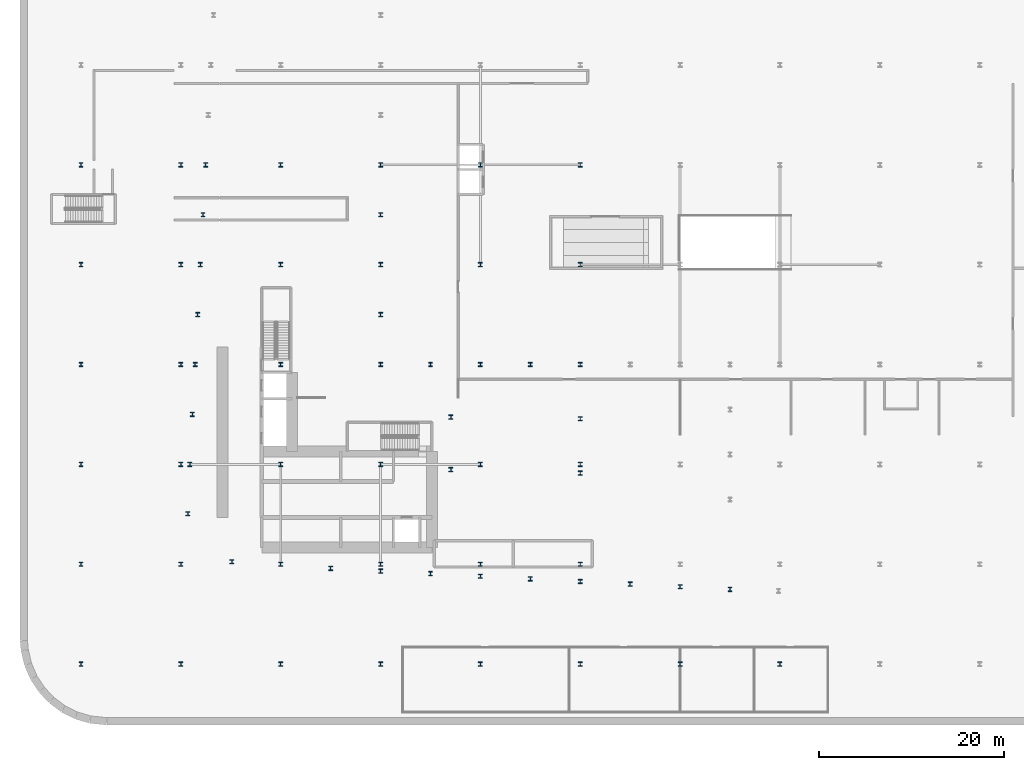
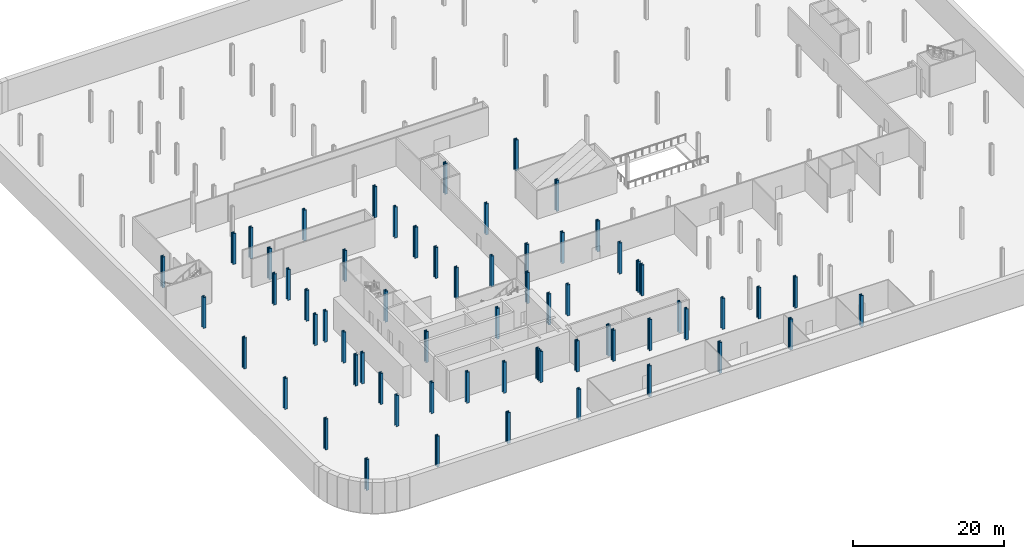
# One storey, part 1 of 19: 64 columns.
"""IFC4 building model written with IfcOpenShell, lengths in metres."""

from ifc_helpers import new_model, si_unit, direction, frame, origin, origin_2d, place, context, subcontext, project, spatial, i_section, extrude, material, material_profile, profile_set, type_object, element, save


model = new_model("IFC4")

# Units and contexts
model_context = context("Model", 3, precision=1e-05, world=origin(), true_north=direction((0.0, 1.0)))
body_context = subcontext(model_context, "Body", "Model", "MODEL_VIEW")
ifc_project = project(units=[si_unit("LENGTHUNIT", "METRE"), si_unit("AREAUNIT", "SQUARE_METRE"), si_unit("VOLUMEUNIT", "CUBIC_METRE"), si_unit("PLANEANGLEUNIT", "RADIAN"), si_unit("MASSUNIT", "GRAM", prefix="KILO")], contexts=[model_context])

# Site, building, storey
site_placement = place(None, origin())
site = spatial("IfcSite", under=ifc_project, at=site_placement, CompositionType="ELEMENT")
building_placement = place(site_placement, origin())
building = spatial("IfcBuilding", under=site, at=building_placement, Name="Kheshtan School and Residences Tower", CompositionType="ELEMENT")
storey_placement = place(building_placement, frame((0.0, 0.0, -5.0)))
storey = spatial("IfcBuildingStorey", under=building, at=storey_placement, Name="B1", CompositionType="ELEMENT", Elevation=-5.0)

# Columns
ifc_material = material(Name="Steel ASTM A992 Grade 50", Category="steel")
ifc_material_profile = material_profile(ifc_material, i_section(OverallWidth=0.424072265625, OverallDepth=0.47412109375, WebThickness=0.047607421875, FlangeThickness=0.0771484375, FilletRadius=0.01416015625, at=origin_2d()), Name="W360x634")
ifc_profile_set = profile_set([ifc_material_profile], Name="Steel ASTM A992 Grade 50")
column_type = type_object("IfcColumnType", Name="Column PC1 W360x634 ASTM A992 Grade 50", PredefinedType="COLUMN", material=ifc_profile_set)
for number, where, z_axis, x_axis, name in (
    (1, (15.199951171875, 13.199951171875, 0.0), (0.0, 0.0, 1.0), (1.0, 0.0, 0.0), "Column P-001"),
    (2, (26.0, 13.199951171875, 0.0), (0.0, 0.0, 1.0), (1.0, 0.0, 0.0), "Column P-002"),
    (3, (36.800048828125, 13.199951171875, 0.0), (0.0, 0.0, 1.0), (1.0, 0.0, 0.0), "Column P-003"),
    (4, (47.60009765625, 13.199951171875, 0.0), (0.0, 0.0, 1.0), (1.0, 0.0, 0.0), "Column P-004"),
    (5, (58.39990234375, 13.199951171875, 0.0), (0.0, 0.0, 1.0), (1.0, 0.0, 0.0), "Column P-005"),
    (6, (69.199951171875, 13.199951171875, 0.0), (0.0, 0.0, 1.0), (1.0, 0.0, 0.0), "Column P-006"),
    (7, (80.0, 13.199951171875, 0.0), (0.0, 0.0, 1.0), (1.0, 0.0, 0.0), "Column P-007"),
    (8, (90.800048828125, 13.199951171875, 0.0), (0.0, 0.0, 1.0), (1.0, 0.0, 0.0), "Column P-008"),
    (9, (15.199951171875, 24.0, 0.0), (0.0, 0.0, 1.0), (1.0, 0.0, 0.0), "Column P-013"),
    (10, (26.0, 24.0, 0.0), (0.0, 0.0, 1.0), (1.0, 0.0, 0.0), "Column P-014"),
    (11, (36.800048828125, 24.0, 0.0), (0.0, 0.0, 1.0), (1.0, 0.0, 0.0), "Column P-015"),
    (12, (47.60009765625, 24.0, 0.0), (0.0, 0.0, 1.0), (1.0, 0.0, 0.0), "Column P-016"),
    (13, (58.39990234375, 24.0, 0.0), (0.0, 0.0, 1.0), (1.0, 0.0, 0.0), "Column P-017"),
    (14, (69.199951171875, 24.0, 0.0), (0.0, 0.0, 1.0), (1.0, 0.0, 0.0), "Column P-018"),
    (15, (15.199951171875, 34.800048828125, 0.0), (0.0, 0.0, 1.0), (1.0, 0.0, 0.0), "Column P-025"),
    (16, (26.0, 34.800048828125, 0.0), (0.0, 0.0, 1.0), (1.0, 0.0, 0.0), "Column P-026"),
    (17, (36.800048828125, 34.800048828125, 0.0), (0.0, 0.0, 1.0), (1.0, 0.0, 0.0), "Column P-027"),
    (18, (47.60009765625, 34.800048828125, 0.0), (0.0, 0.0, 1.0), (1.0, 0.0, 0.0), "Column P-028"),
    (19, (58.39990234375, 34.800048828125, 0.0), (0.0, 0.0, 1.0), (1.0, 0.0, 0.0), "Column P-029"),
    (20, (69.199951171875, 34.800048828125, 0.0), (0.0, 0.0, 1.0), (1.0, 0.0, 0.0), "Column P-030"),
    (21, (15.199951171875, 45.60009765625, 0.0), (0.0, 0.0, 1.0), (1.0, 0.0, 0.0), "Column P-037"),
    (22, (26.0, 45.60009765625, 0.0), (0.0, 0.0, 1.0), (1.0, 0.0, 0.0), "Column P-038"),
    (23, (36.800048828125, 45.60009765625, 0.0), (0.0, 0.0, 1.0), (1.0, 0.0, 0.0), "Column P-039"),
    (24, (47.60009765625, 45.60009765625, 0.0), (0.0, 0.0, 1.0), (1.0, 0.0, 0.0), "Column P-040"),
    (25, (58.39990234375, 45.60009765625, 0.0), (0.0, 0.0, 1.0), (1.0, 0.0, 0.0), "Column P-041"),
    (26, (69.199951171875, 45.60009765625, 0.0), (0.0, 0.0, 1.0), (1.0, 0.0, 0.0), "Column P-042"),
    (27, (15.199951171875, 56.39990234375, 0.0), (0.0, 0.0, 1.0), (1.0, 0.0, 0.0), "Column P-049"),
    (28, (26.0, 56.39990234375, 0.0), (0.0, 0.0, 1.0), (1.0, 0.0, 0.0), "Column P-050"),
    (29, (36.800048828125, 56.39990234375, 0.0), (0.0, 0.0, 1.0), (1.0, 0.0, 0.0), "Column P-051"),
    (30, (47.60009765625, 56.39990234375, 0.0), (0.0, 0.0, 1.0), (1.0, 0.0, 0.0), "Column P-052"),
    (31, (58.39990234375, 56.39990234375, 0.0), (0.0, 0.0, 1.0), (1.0, 0.0, 0.0), "Column P-053"),
    (32, (69.199951171875, 56.39990234375, 0.0), (0.0, 0.0, 1.0), (1.0, 0.0, 0.0), "Column P-054"),
    (33, (15.199951171875, 67.199951171875, 0.0), (0.0, 0.0, 1.0), (1.0, 0.0, 0.0), "Column P-061"),
    (34, (26.0, 67.199951171875, 0.0), (0.0, 0.0, 1.0), (1.0, 0.0, 0.0), "Column P-062"),
    (35, (36.800048828125, 67.199951171875, 0.0), (0.0, 0.0, 1.0), (1.0, 0.0, 0.0), "Column P-063"),
    (36, (47.60009765625, 67.199951171875, 0.0), (0.0, 0.0, 1.0), (1.0, 0.0, 0.0), "Column P-064"),
    (37, (58.39990234375, 67.199951171875, 0.0), (0.0, 0.0, 1.0), (1.0, 0.0, 0.0), "Column P-065"),
    (38, (69.199951171875, 67.199951171875, 0.0), (0.0, 0.0, 1.0), (1.0, 0.0, 0.0), "Column P-066"),
    (39, (85.39990234375, 21.27001953125, 0.0), (0.0, 0.0, 1.0), (1.0, 0.0, 0.0), "Transfer column X02"),
    (40, (80.0, 21.56005859375, 0.0), (0.0, 0.0, 1.0), (1.0, 0.0, 0.0), "Transfer column X03"),
    (41, (74.60009765625, 21.840087890625, 0.0), (0.0, 0.0, 1.0), (1.0, 0.0, 0.0), "Transfer column X04"),
    (42, (69.199951171875, 22.1298828125, 0.0), (0.0, 0.0, 1.0), (1.0, 0.0, 0.0), "Transfer column X05"),
    (43, (63.800048828125, 22.409912109375, 0.0), (0.0, 0.0, 1.0), (1.0, 0.0, 0.0), "Transfer column X06"),
    (44, (58.39990234375, 22.699951171875, 0.0), (0.0, 0.0, 1.0), (1.0, 0.0, 0.0), "Transfer column X07"),
    (45, (53.0, 22.97998046875, 0.0), (0.0, 0.0, 1.0), (1.0, 0.0, 0.0), "Transfer column X08"),
    (46, (47.60009765625, 23.260009765625, 0.0), (0.0, 0.0, 1.0), (1.0, 0.0, 0.0), "Transfer column X09"),
    (47, (42.199951171875, 23.550048828125, 0.0), (0.0, 0.0, 1.0), (1.0, 0.0, 0.0), "Transfer column X10"),
    (48, (31.52001953125, 24.27001953125, 0.0), (0.0, 0.0, 1.0), (1.0, 0.0, 0.0), "Transfer column X11"),
    (49, (26.760009765625, 29.4599609375, 0.0), (0.0, 0.0, 1.0), (1.0, 0.0, 0.0), "Transfer column X12"),
    (50, (26.969970703125, 34.800048828125, 0.0), (0.0, 0.0, 1.0), (1.0, 0.0, 0.0), "Transfer column X13"),
    (51, (27.25, 40.199951171875, 0.0), (0.0, 0.0, 1.0), (1.0, 0.0, 0.0), "Transfer column X14"),
    (52, (27.5400390625, 45.60009765625, 0.0), (0.0, 0.0, 1.0), (1.0, 0.0, 0.0), "Transfer column X15"),
    (53, (53.0, 45.60009765625, 0.0), (0.0, 0.0, 1.0), (1.0, 0.0, 0.0), "Transfer column X16"),
    (54, (63.800048828125, 45.60009765625, 0.0), (0.0, 0.0, 1.0), (1.0, 0.0, 0.0), "Transfer column X17"),
    (55, (27.820068359375, 51.0, 0.0), (0.0, 0.0, 1.0), (1.0, 0.0, 0.0), "Transfer column X20"),
    (56, (47.60009765625, 51.0, 0.0), (0.0, 0.0, 1.0), (1.0, 0.0, 0.0), "Transfer column X21"),
    (57, (28.110107421875, 56.39990234375, 0.0), (0.0, 0.0, 1.0), (1.0, 0.0, 0.0), "Transfer column X22"),
    (58, (28.389892578125, 61.800048828125, 0.0), (0.0, 0.0, 1.0), (1.0, 0.0, 0.0), "Transfer column X23"),
    (59, (47.60009765625, 61.800048828125, 0.0), (0.0, 0.0, 1.0), (1.0, 0.0, 0.0), "Transfer column X24"),
    (60, (28.669921875, 67.199951171875, 0.0), (0.0, 0.0, 1.0), (1.0, 0.0, 0.0), "Transfer column X25"),
    (61, (69.199951171875, 33.860107421875, 0.0), (0.0, 0.0, 1.0), (1.0, 0.0, 0.0), "Transfer column X36"),
    (62, (55.199951171875, 34.22998046875, 0.0), (0.0, 0.0, 1.0), (1.0, 0.0, 0.0), "Transfer column X37"),
    (63, (69.199951171875, 39.72998046875, 0.0), (0.0, 0.0, 1.0), (1.0, 0.0, 0.0), "Transfer column X39"),
    (64, (55.199951171875, 39.919921875, 0.0), (0.0, 0.0, 1.0), (1.0, 0.0, 0.0), "Transfer column X40"),
):
    element("IfcColumn", number, at=place(storey_placement, frame(where, z_axis=z_axis, x_axis=x_axis)), inside=storey, type_object=column_type, Name=name, PredefinedType="COLUMN", context=body_context, shape_type="SweptSolid", body=[
        extrude(i_section(OverallWidth=0.424072265625, OverallDepth=0.47412109375, WebThickness=0.047607421875, FlangeThickness=0.0771484375, FilletRadius=0.01416015625, at=origin_2d()), origin(), (0.0, 0.0, 1.0), 5.0),
    ])

save(model, "model.ifc")
